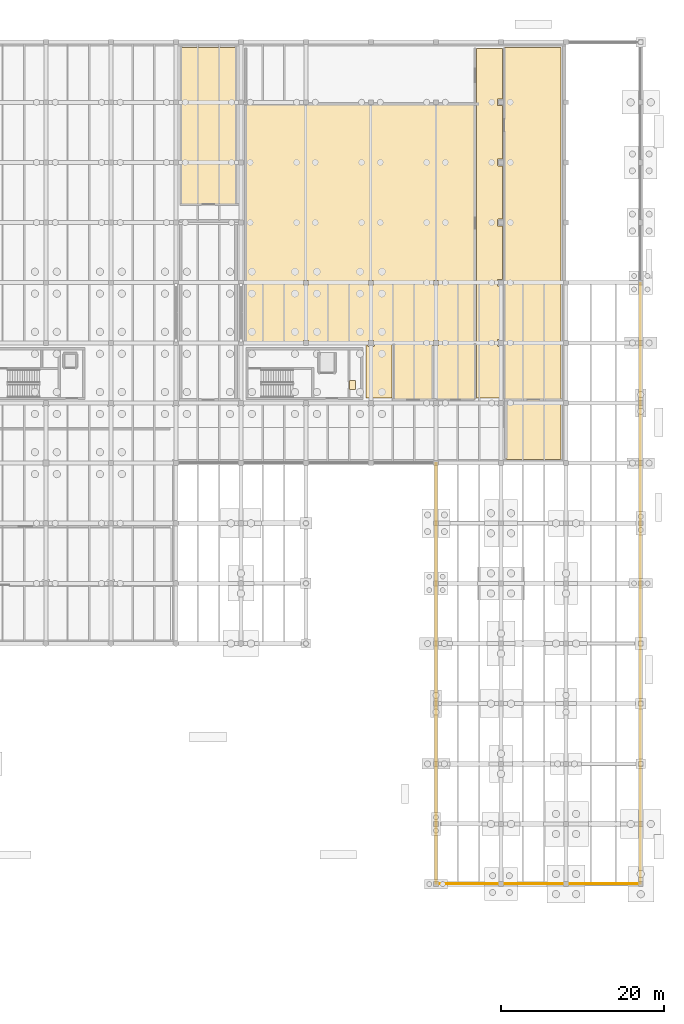
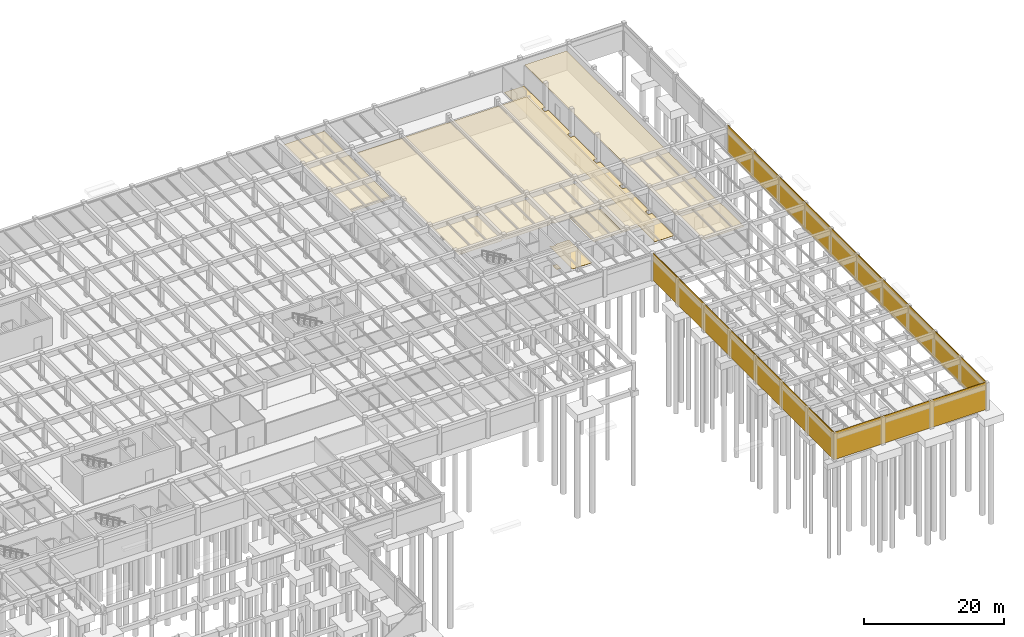
# One storey, part 38 of 40: 12 coverings.
"""IFC4 building model written with IfcOpenShell, lengths in metres."""

import ifcopenshell
import ifcopenshell.guid

model = None  # the IFC model being written
_history = None  # IfcOwnerHistory: only IFC2X3 demands one
_inside = {}  # id of a spatial element -> (the spatial element, [elements in it])
_under = {}  # id of a project, library or spatial element -> (it, [spatial elements below it])
_declared = {}  # id of a project -> (the project, [libraries it declares])
_typed = {}  # id of a type object -> (the type object, [elements of that type])
_made_of = {}  # id of a material, layer set ... -> (it, [elements and type objects made of it])


def new_model(schema):
    """Start an empty IFC model of exactly this schema.

    Asked for "IFC4X3", IfcOpenShell would pick the latest addendum, in which some entities
    have other attributes; the version numbers below select the first issue.
    IFC2X3 requires an IfcOwnerHistory on every rooted entity: one is made here for all.
    """
    global model, _history
    if schema == "IFC4X3":
        model = ifcopenshell.file(schema_version=(4, 3, 0, 0))
    else:
        model = ifcopenshell.file(schema=schema)
    _inside.clear()
    _under.clear()
    _declared.clear()
    _typed.clear()
    _made_of.clear()
    _history = None
    if model.schema == "IFC2X3":
        org = make("IfcOrganization", Name="unknown")
        user = make(
            "IfcPersonAndOrganization",
            ThePerson=make("IfcPerson", FamilyName="unknown"),
            TheOrganization=org,
        )
        app = make(
            "IfcApplication",
            ApplicationDeveloper=org,
            Version="unknown",
            ApplicationFullName="unknown",
            ApplicationIdentifier="unknown",
        )
        _history = make(
            "IfcOwnerHistory",
            OwningUser=user,
            OwningApplication=app,
            ChangeAction="ADDED",
            CreationDate=0,
        )
    return model


def make(cls, **values):
    """One entity of the class cls with the attributes given. An attribute that is None is left unset."""
    return model.create_entity(
        cls, **{name: value for name, value in values.items() if value is not None}
    )


def rooted(cls, **values):
    """An entity with a GlobalId (a new one), such as an element, a storey or a relation."""
    return make(cls, GlobalId=ifcopenshell.guid.new(), OwnerHistory=_history, **values)


def si_unit(unit_type, name, prefix=None):
    """IfcSIUnit, for example si_unit("LENGTHUNIT", "METRE", prefix="MILLI")."""
    return make("IfcSIUnit", UnitType=unit_type, Prefix=prefix, Name=name)


def assignment(units):
    """IfcUnitAssignment: the units of a project."""
    return None if units is None else make("IfcUnitAssignment", Units=units)


def point(xyz):
    """IfcCartesianPoint."""
    return None if xyz is None else make("IfcCartesianPoint", Coordinates=xyz)


def direction(xyz):
    """IfcDirection."""
    return None if xyz is None else make("IfcDirection", DirectionRatios=xyz)


def frame(location, z_axis=None, x_axis=None):
    """IfcAxis2Placement3D, a coordinate frame: its origin and axes. An axis left out is left unset."""
    return make(
        "IfcAxis2Placement3D",
        Location=point(location),
        Axis=direction(z_axis),
        RefDirection=direction(x_axis),
    )


def frame_2d(location, x_axis=None):
    """IfcAxis2Placement2D, a coordinate frame in the plane: its origin and x axis."""
    return make(
        "IfcAxis2Placement2D", Location=point(location), RefDirection=direction(x_axis)
    )


def origin():
    """The frame at (0, 0, 0) with its axes left unset."""
    return frame((0.0, 0.0, 0.0))


def place(relative_to, where):
    """IfcLocalPlacement: puts the frame where relative to a parent placement (None: the world)."""
    return make(
        "IfcLocalPlacement", PlacementRelTo=relative_to, RelativePlacement=where
    )


def context(
    kind, dimensions, precision=None, world=None, true_north=None, identifier=None
):
    """IfcGeometricRepresentationContext, for example the 3D "Model" context."""
    return make(
        "IfcGeometricRepresentationContext",
        ContextIdentifier=identifier,
        ContextType=kind,
        CoordinateSpaceDimension=dimensions,
        Precision=precision,
        WorldCoordinateSystem=world,
        TrueNorth=true_north,
    )


def subcontext(parent, identifier, kind, view, scale=None):
    """IfcGeometricRepresentationSubContext, for example "Body" below "Model"."""
    return make(
        "IfcGeometricRepresentationSubContext",
        ContextIdentifier=identifier,
        ContextType=kind,
        ParentContext=parent,
        TargetScale=scale,
        TargetView=view,
    )


def project(units=None, contexts=None):
    """IfcProject with its units and contexts."""
    return rooted(
        "IfcProject",
        Name="project",
        RepresentationContexts=contexts,
        UnitsInContext=assignment(units),
    )


def spatial(cls, under=None, at=None, **own):
    """A site, building, storey or space (cls), placed at a placement, below another one or the project."""
    s = rooted(cls, ObjectPlacement=at, **own)
    if under is not None:
        _under.setdefault(under.id(), (under, []))[1].append(s)
    return s


def polyline(points):
    """IfcPolyline through the points."""
    return make("IfcPolyline", Points=[point(p) for p in points])


def profile(cls, at=None, kind="AREA", **sizes):
    """A parametric profile (cls). Its sizes go by their IFC names, for example OverallWidth=200.0."""
    return make(cls, ProfileType=kind, Position=at, **sizes)


def rectangle(**sizes):
    """IfcRectangleProfileDef."""
    return profile("IfcRectangleProfileDef", **sizes)


def outline(outer, holes=None, kind="AREA"):
    """IfcArbitraryClosedProfileDef: a profile drawn as a closed curve; with holes, ...WithVoids."""
    if holes is None:
        return make("IfcArbitraryClosedProfileDef", ProfileType=kind, OuterCurve=outer)
    return make(
        "IfcArbitraryProfileDefWithVoids",
        ProfileType=kind,
        OuterCurve=outer,
        InnerCurves=holes,
    )


def extrude(swept, where, along, depth):
    """IfcExtrudedAreaSolid: the profile swept, set in the frame where, extruded along a direction by depth."""
    return make(
        "IfcExtrudedAreaSolid",
        SweptArea=swept,
        Position=where,
        ExtrudedDirection=direction(along),
        Depth=depth,
    )


def shape(context_of_items, identifier, shape_type, items):
    """IfcShapeRepresentation: the items that make up one representation, for example the "Body"."""
    return make(
        "IfcShapeRepresentation",
        ContextOfItems=context_of_items,
        RepresentationIdentifier=identifier,
        RepresentationType=shape_type,
        Items=items,
    )


def material(Name=None, Category=None):
    """IfcMaterial."""
    return make("IfcMaterial", Name=Name, Category=Category)


def layer(
    of_material, thickness, ventilated=None, Name=None, Category=None, Priority=None
):
    """IfcMaterialLayer: one layer of a wall or slab, of a material (None: an air gap)."""
    return make(
        "IfcMaterialLayer",
        Material=of_material,
        LayerThickness=thickness,
        IsVentilated=ventilated,
        Name=Name,
        Category=Category,
        Priority=Priority,
    )


def layer_set(layers, Name=None):
    """IfcMaterialLayerSet."""
    return make("IfcMaterialLayerSet", MaterialLayers=layers, LayerSetName=Name)


def made_of(thing, what):
    """Note that an element or type object is made of a material, layer set ...; save() writes the relation."""
    if what is not None:
        _made_of.setdefault(what.id(), (what, []))[1].append(thing)
    return thing


def type_object(cls, material=None, **own):
    """A type object (cls), such as IfcWallType, which elements share."""
    return made_of(rooted(cls, **own), material)


def element(
    cls,
    number,
    at=None,
    inside=None,
    cuts=None,
    type_object=None,
    material=None,
    context=None,
    identifier="Body",
    shape_type=None,
    held_by="IfcProductDefinitionShape",
    body=None,
    shapes=None,
    **own,
):
    """One element of the class cls, such as IfcWall. Its Tag is "e" and its number.

    at: its placement. inside: the storey or other place that contains it. cuts: it is an
    opening in that element (IfcRelVoidsElement). A single representation is given by context,
    identifier, shape_type and body (its items); several are given by shapes. held_by: the class
    of the entity that holds the representations. save() writes the other relations.
    """
    e = rooted(cls, Tag="e%d" % number, ObjectPlacement=at, **own)
    if body is not None:
        shapes = [shape(context, identifier, shape_type, body)]
    if shapes is not None:
        e.Representation = make(held_by, Representations=shapes)
    if inside is not None:
        _inside.setdefault(inside.id(), (inside, []))[1].append(e)
    if cuts is not None:
        rooted(
            "IfcRelVoidsElement", RelatingBuildingElement=cuts, RelatedOpeningElement=e
        )
    if type_object is not None:
        _typed.setdefault(type_object.id(), (type_object, []))[1].append(e)
    return made_of(e, material)


def aggregate(whole, parts):
    """IfcRelAggregates: a whole, such as a stair, and the parts it consists of."""
    return rooted("IfcRelAggregates", RelatingObject=whole, RelatedObjects=parts)


def save(model, path):
    """Write the relations noted so far, then the file.

    IfcRelAggregates (storeys below a building ...), IfcRelContainedInSpatialStructure (elements
    in a storey), IfcRelDefinesByType, IfcRelAssociatesMaterial and IfcRelDeclares: one each for
    every whole, place, type object, material and project.
    """
    for whole, parts in _under.values():
        aggregate(whole, parts)
    for where, things in _inside.values():
        rooted(
            "IfcRelContainedInSpatialStructure",
            RelatedElements=things,
            RelatingStructure=where,
        )
    for kind, things in _typed.values():
        rooted("IfcRelDefinesByType", RelatedObjects=things, RelatingType=kind)
    for what, things in _made_of.values():
        rooted("IfcRelAssociatesMaterial", RelatedObjects=things, RelatingMaterial=what)
    for by, libraries in _declared.values():
        rooted("IfcRelDeclares", RelatingContext=by, RelatedDefinitions=libraries)
    model.write(path)


model = new_model("IFC4")

# Units and contexts
model_context = context("Model", 3, precision=1e-05, world=origin(), true_north=direction((0.0, 1.0)))
body_context = subcontext(model_context, "Body", "Model", "MODEL_VIEW")
ifc_project = project(units=[si_unit("LENGTHUNIT", "METRE"), si_unit("AREAUNIT", "SQUARE_METRE"), si_unit("VOLUMEUNIT", "CUBIC_METRE"), si_unit("PLANEANGLEUNIT", "RADIAN"), si_unit("MASSUNIT", "GRAM", prefix="KILO")], contexts=[model_context])

# Site, building, storey
site_placement = place(None, origin())
site = spatial("IfcSite", under=ifc_project, at=site_placement, CompositionType="ELEMENT")
building_placement = place(site_placement, origin())
building = spatial("IfcBuilding", under=site, at=building_placement, Name="Valkorina Park Police Headquarters", CompositionType="ELEMENT")
storey_placement = place(building_placement, frame((0.0, 0.0, -4.800048828125)))
storey = spatial("IfcBuildingStorey", under=building, at=storey_placement, Name="B01", CompositionType="ELEMENT", Elevation=-4.800048828125)

# Coverings
ifc_material_1 = material(Name="Acoustic mineral board")
ifc_layer_1 = layer(ifc_material_1, 0.02490234375)
ifc_layer_set_1 = layer_set([ifc_layer_1], Name="Acoustic mineral board")
covering_type_1 = type_object("IfcCoveringType", Name="COV-CEILING-ACOUST", PredefinedType="CEILING", material=ifc_layer_set_1)
covering_1_placement = place(storey_placement, frame((0.0, 0.0, 3.505126953125)))
element("IfcCovering", 1, at=covering_1_placement, inside=storey, type_object=covering_type_1, Name="Indoor 25 m Firing Range Acoustic Suspended Ceiling", PredefinedType="CEILING", context=body_context, shape_type="SweptSolid", body=[
    extrude(outline(polyline([(121.10009765625, 103.34912109375), (121.10009765625, 103.300048828125), (120.5, 103.300048828125), (120.5, 103.34912109375), (120.497802734375, 103.3505859375), (120.490478515625, 103.35400390625), (120.483154296875, 103.356689453125), (120.4755859375, 103.3583984375), (120.4677734375, 103.359619140625), (120.4599609375, 103.360107421875), (113.52001953125, 103.360107421875), (113.51220703125, 103.359619140625), (113.50439453125, 103.3583984375), (113.496826171875, 103.356689453125), (113.489501953125, 103.35400390625), (113.482421875, 103.3505859375), (113.4755859375, 103.346435546875), (113.46923828125, 103.341796875), (113.46337890625, 103.336669921875), (113.458251953125, 103.330810546875), (113.45361328125, 103.324462890625), (113.449462890625, 103.317626953125), (113.446044921875, 103.310546875), (113.443359375, 103.30322265625), (113.44140625, 103.295654296875), (113.4404296875, 103.287841796875), (113.43994140625, 103.280029296875), (113.43994140625, 74.1201171875), (113.4404296875, 74.1123046875), (113.44140625, 74.1044921875), (113.443359375, 74.0966796875), (113.446044921875, 74.08935546875), (113.449462890625, 74.082275390625), (113.45361328125, 74.07568359375), (113.458251953125, 74.069091796875), (113.46337890625, 74.0634765625), (113.46923828125, 74.05810546875), (113.4755859375, 74.053466796875), (113.482421875, 74.04931640625), (113.489501953125, 74.046142578125), (113.496826171875, 74.04345703125), (113.50439453125, 74.04150390625), (113.51220703125, 74.040283203125), (113.52001953125, 74.0400390625), (120.4599609375, 74.0400390625), (120.4677734375, 74.040283203125), (120.4755859375, 74.04150390625), (120.483154296875, 74.04345703125), (120.490478515625, 74.046142578125), (120.497802734375, 74.04931640625), (120.5, 74.05078125), (120.5, 74.300048828125), (121.10009765625, 74.300048828125), (121.10009765625, 74.05078125), (121.102294921875, 74.04931640625), (121.109375, 74.046142578125), (121.11669921875, 74.04345703125), (121.12451171875, 74.04150390625), (121.132080078125, 74.040283203125), (121.139892578125, 74.0400390625), (128.4599609375, 74.0400390625), (128.4677734375, 74.040283203125), (128.4755859375, 74.04150390625), (128.483154296875, 74.04345703125), (128.490478515625, 74.046142578125), (128.497802734375, 74.04931640625), (128.5, 74.05078125), (128.5, 74.300048828125), (129.10009765625, 74.300048828125), (129.10009765625, 74.05078125), (129.102294921875, 74.04931640625), (129.109375, 74.046142578125), (129.11669921875, 74.04345703125), (129.12451171875, 74.04150390625), (129.132080078125, 74.040283203125), (129.139892578125, 74.0400390625), (136.4599609375, 74.0400390625), (136.4677734375, 74.040283203125), (136.4755859375, 74.04150390625), (136.483154296875, 74.04345703125), (136.490478515625, 74.046142578125), (136.497802734375, 74.04931640625), (136.5, 74.05078125), (136.5, 74.300048828125), (137.10009765625, 74.300048828125), (137.10009765625, 74.05078125), (137.102294921875, 74.04931640625), (137.109375, 74.046142578125), (137.11669921875, 74.04345703125), (137.12451171875, 74.04150390625), (137.132080078125, 74.040283203125), (137.139892578125, 74.0400390625), (141.47998046875, 74.0400390625), (141.48779296875, 74.040283203125), (141.49560546875, 74.04150390625), (141.503173828125, 74.04345703125), (141.510498046875, 74.046142578125), (141.517578125, 74.04931640625), (141.5244140625, 74.053466796875), (141.53076171875, 74.05810546875), (141.53662109375, 74.0634765625), (141.541748046875, 74.069091796875), (141.54638671875, 74.07568359375), (141.550537109375, 74.082275390625), (141.553955078125, 74.08935546875), (141.556640625, 74.0966796875), (141.55859375, 74.1044921875), (141.5595703125, 74.1123046875), (141.56005859375, 74.1201171875), (141.56005859375, 103.280029296875), (141.5595703125, 103.287841796875), (141.55859375, 103.295654296875), (141.556640625, 103.30322265625), (141.553955078125, 103.310546875), (141.550537109375, 103.317626953125), (141.54638671875, 103.324462890625), (141.541748046875, 103.330810546875), (141.53662109375, 103.336669921875), (141.53076171875, 103.341796875), (141.5244140625, 103.346435546875), (141.517578125, 103.3505859375), (141.510498046875, 103.35400390625), (141.503173828125, 103.356689453125), (141.49560546875, 103.3583984375), (141.48779296875, 103.359619140625), (141.47998046875, 103.360107421875), (137.139892578125, 103.360107421875), (137.132080078125, 103.359619140625), (137.12451171875, 103.3583984375), (137.11669921875, 103.356689453125), (137.109375, 103.35400390625), (137.102294921875, 103.3505859375), (137.10009765625, 103.34912109375), (137.10009765625, 103.300048828125), (136.5, 103.300048828125), (136.5, 103.34912109375), (136.497802734375, 103.3505859375), (136.490478515625, 103.35400390625), (136.483154296875, 103.356689453125), (136.4755859375, 103.3583984375), (136.4677734375, 103.359619140625), (136.4599609375, 103.360107421875), (129.139892578125, 103.360107421875), (129.132080078125, 103.359619140625), (129.12451171875, 103.3583984375), (129.11669921875, 103.356689453125), (129.109375, 103.35400390625), (129.102294921875, 103.3505859375), (129.10009765625, 103.34912109375), (129.10009765625, 103.300048828125), (128.5, 103.300048828125), (128.5, 103.34912109375), (128.497802734375, 103.3505859375), (128.490478515625, 103.35400390625), (128.483154296875, 103.356689453125), (128.4755859375, 103.3583984375), (128.4677734375, 103.359619140625), (128.4599609375, 103.360107421875), (121.139892578125, 103.360107421875), (121.132080078125, 103.359619140625), (121.12451171875, 103.3583984375), (121.11669921875, 103.356689453125), (121.109375, 103.35400390625), (121.102294921875, 103.3505859375), (121.10009765625, 103.34912109375)]), holes=[polyline([(137.10009765625, 81.10009765625), (136.5, 81.10009765625), (136.5, 81.699951171875), (137.10009765625, 81.699951171875), (137.10009765625, 81.10009765625)]), polyline([(129.10009765625, 81.10009765625), (128.5, 81.10009765625), (128.5, 81.699951171875), (129.10009765625, 81.699951171875), (129.10009765625, 81.10009765625)]), polyline([(121.10009765625, 81.10009765625), (120.5, 81.10009765625), (120.5, 81.699951171875), (121.10009765625, 81.699951171875), (121.10009765625, 81.10009765625)])]), origin(), (0.0, 0.0, 1.0), 0.02490234375),
])
covering_2_placement = place(storey_placement, frame((0.0, 0.0, 3.505126953125)))
element("IfcCovering", 2, at=covering_2_placement, inside=storey, type_object=covering_type_1, Name="Weapons Cleaning and Maintenance Room Acoustic Suspended Ceiling", PredefinedType="CEILING", context=body_context, shape_type="SweptSolid", body=[
    extrude(outline(polyline([(112.158447265625, 91.1044921875), (112.15966796875, 91.1123046875), (112.159912109375, 91.1201171875), (112.159912109375, 110.280029296875), (112.15966796875, 110.287841796875), (112.158447265625, 110.295654296875), (112.156494140625, 110.30322265625), (112.15380859375, 110.310546875), (112.150634765625, 110.317626953125), (112.146484375, 110.324462890625), (112.141845703125, 110.330810546875), (112.13671875, 110.336669921875), (112.130859375, 110.341796875), (112.12451171875, 110.346435546875), (112.11767578125, 110.3505859375), (112.110595703125, 110.35400390625), (112.103271484375, 110.356689453125), (112.095703125, 110.3583984375), (112.087890625, 110.359619140625), (112.080078125, 110.360107421875), (105.52001953125, 110.360107421875), (105.51220703125, 110.359619140625), (105.50439453125, 110.3583984375), (105.496826171875, 110.356689453125), (105.489501953125, 110.35400390625), (105.482421875, 110.3505859375), (105.4755859375, 110.346435546875), (105.46923828125, 110.341796875), (105.46337890625, 110.336669921875), (105.458251953125, 110.330810546875), (105.45361328125, 110.324462890625), (105.449462890625, 110.317626953125), (105.446044921875, 110.310546875), (105.443359375, 110.30322265625), (105.44140625, 110.295654296875), (105.4404296875, 110.287841796875), (105.43994140625, 110.280029296875), (105.43994140625, 91.1201171875), (105.4404296875, 91.1123046875), (105.44140625, 91.1044921875), (105.443359375, 91.0966796875), (105.446044921875, 91.08935546875), (105.449462890625, 91.082275390625), (105.45361328125, 91.07568359375), (105.458251953125, 91.069091796875), (105.46337890625, 91.0634765625), (105.46923828125, 91.05810546875), (105.4755859375, 91.053466796875), (105.482421875, 91.04931640625), (105.489501953125, 91.046142578125), (105.496826171875, 91.04345703125), (105.50439453125, 91.04150390625), (105.51220703125, 91.040283203125), (105.52001953125, 91.0400390625), (112.080078125, 91.0400390625), (112.087890625, 91.040283203125), (112.095703125, 91.04150390625), (112.103271484375, 91.04345703125), (112.110595703125, 91.046142578125), (112.11767578125, 91.04931640625), (112.12451171875, 91.053466796875), (112.130859375, 91.05810546875), (112.13671875, 91.0634765625), (112.141845703125, 91.069091796875), (112.146484375, 91.07568359375), (112.150634765625, 91.082275390625), (112.15380859375, 91.08935546875), (112.156494140625, 91.0966796875), (112.158447265625, 91.1044921875)])), origin(), (0.0, 0.0, 1.0), 0.02490234375),
])
covering_3_placement = place(storey_placement, frame((0.0, 0.0, 3.625)))
element("IfcCovering", 3, at=covering_3_placement, inside=storey, type_object=covering_type_1, Name="Central Police Armoury Vault Acoustic Suspended Ceiling", PredefinedType="CEILING", context=body_context, shape_type="SweptSolid", body=[
    extrude(outline(polyline([(136.3583984375, 67.1044921875), (136.359619140625, 67.1123046875), (136.360107421875, 67.1201171875), (136.360107421875, 73.8798828125), (136.359619140625, 73.8876953125), (136.3583984375, 73.8955078125), (136.356689453125, 73.9033203125), (136.35400390625, 73.91064453125), (136.3505859375, 73.917724609375), (136.346435546875, 73.92431640625), (136.341796875, 73.930908203125), (136.336669921875, 73.9365234375), (136.330810546875, 73.94189453125), (136.324462890625, 73.946533203125), (136.317626953125, 73.95068359375), (136.310546875, 73.953857421875), (136.30322265625, 73.95654296875), (136.295654296875, 73.95849609375), (136.287841796875, 73.959716796875), (136.280029296875, 73.9599609375), (131.719970703125, 73.9599609375), (131.712158203125, 73.959716796875), (131.704345703125, 73.95849609375), (131.69677734375, 73.95654296875), (131.689453125, 73.953857421875), (131.682373046875, 73.95068359375), (131.675537109375, 73.946533203125), (131.669189453125, 73.94189453125), (131.663330078125, 73.9365234375), (131.658203125, 73.930908203125), (131.653564453125, 73.92431640625), (131.6494140625, 73.917724609375), (131.64599609375, 73.91064453125), (131.643310546875, 73.9033203125), (131.6416015625, 73.8955078125), (131.640380859375, 73.8876953125), (131.639892578125, 73.8798828125), (131.639892578125, 67.1201171875), (131.640380859375, 67.1123046875), (131.6416015625, 67.1044921875), (131.643310546875, 67.0966796875), (131.64599609375, 67.08935546875), (131.6494140625, 67.082275390625), (131.653564453125, 67.07568359375), (131.658203125, 67.069091796875), (131.663330078125, 67.0634765625), (131.669189453125, 67.05810546875), (131.675537109375, 67.053466796875), (131.682373046875, 67.04931640625), (131.689453125, 67.046142578125), (131.69677734375, 67.04345703125), (131.704345703125, 67.04150390625), (131.712158203125, 67.040283203125), (131.719970703125, 67.0400390625), (136.280029296875, 67.0400390625), (136.287841796875, 67.040283203125), (136.295654296875, 67.04150390625), (136.30322265625, 67.04345703125), (136.310546875, 67.046142578125), (136.317626953125, 67.04931640625), (136.324462890625, 67.053466796875), (136.330810546875, 67.05810546875), (136.336669921875, 67.0634765625), (136.341796875, 67.069091796875), (136.346435546875, 67.07568359375), (136.3505859375, 67.082275390625), (136.35400390625, 67.08935546875), (136.356689453125, 67.0966796875), (136.3583984375, 67.1044921875)])), origin(), (0.0, 0.0, 1.0), 0.025146484375),
])
covering_4_placement = place(storey_placement, frame((0.0, 0.0, 3.625)))
element("IfcCovering", 4, at=covering_4_placement, inside=storey, type_object=covering_type_1, Name="Ammunition Magazine Vault Acoustic Suspended Ceiling", PredefinedType="CEILING", context=body_context, shape_type="SweptSolid", body=[
    extrude(outline(polyline([(152.158447265625, 59.704345703125), (152.15966796875, 59.712158203125), (152.159912109375, 59.719970703125), (152.159912109375, 66.8798828125), (152.15966796875, 66.8876953125), (152.158447265625, 66.8955078125), (152.156494140625, 66.9033203125), (152.15380859375, 66.91064453125), (152.150634765625, 66.917724609375), (152.146484375, 66.92431640625), (152.141845703125, 66.930908203125), (152.13671875, 66.9365234375), (152.130859375, 66.94189453125), (152.12451171875, 66.946533203125), (152.11767578125, 66.95068359375), (152.110595703125, 66.953857421875), (152.103271484375, 66.95654296875), (152.095703125, 66.95849609375), (152.087890625, 66.959716796875), (152.080078125, 66.9599609375), (145.52001953125, 66.9599609375), (145.51220703125, 66.959716796875), (145.50439453125, 66.95849609375), (145.496826171875, 66.95654296875), (145.489501953125, 66.953857421875), (145.482421875, 66.95068359375), (145.4755859375, 66.946533203125), (145.46923828125, 66.94189453125), (145.46337890625, 66.9365234375), (145.458251953125, 66.930908203125), (145.45361328125, 66.92431640625), (145.449462890625, 66.917724609375), (145.446044921875, 66.91064453125), (145.443359375, 66.9033203125), (145.44140625, 66.8955078125), (145.4404296875, 66.8876953125), (145.43994140625, 66.8798828125), (145.43994140625, 59.719970703125), (145.4404296875, 59.712158203125), (145.44140625, 59.704345703125), (145.443359375, 59.69677734375), (145.446044921875, 59.689453125), (145.449462890625, 59.682373046875), (145.45361328125, 59.675537109375), (145.458251953125, 59.669189453125), (145.46337890625, 59.663330078125), (145.46923828125, 59.658203125), (145.4755859375, 59.653564453125), (145.482421875, 59.6494140625), (145.489501953125, 59.64599609375), (145.496826171875, 59.643310546875), (145.50439453125, 59.6416015625), (145.51220703125, 59.640380859375), (145.52001953125, 59.639892578125), (152.080078125, 59.639892578125), (152.087890625, 59.640380859375), (152.095703125, 59.6416015625), (152.103271484375, 59.643310546875), (152.110595703125, 59.64599609375), (152.11767578125, 59.6494140625), (152.12451171875, 59.653564453125), (152.130859375, 59.658203125), (152.13671875, 59.663330078125), (152.141845703125, 59.669189453125), (152.146484375, 59.675537109375), (152.150634765625, 59.682373046875), (152.15380859375, 59.689453125), (152.156494140625, 59.69677734375), (152.158447265625, 59.704345703125)])), origin(), (0.0, 0.0, 1.0), 0.025146484375),
])
covering_5_placement = place(storey_placement, frame((0.0, 0.0, 3.625)))
element("IfcCovering", 5, at=covering_5_placement, inside=storey, type_object=covering_type_1, Name="Tactical Response Gear Locker Room Acoustic Suspended Ceiling", PredefinedType="CEILING", context=body_context, shape_type="SweptSolid", body=[
    extrude(outline(polyline([(141.55859375, 67.1044921875), (141.5595703125, 67.1123046875), (141.56005859375, 67.1201171875), (141.56005859375, 73.8798828125), (141.5595703125, 73.8876953125), (141.55859375, 73.8955078125), (141.556640625, 73.9033203125), (141.553955078125, 73.91064453125), (141.550537109375, 73.917724609375), (141.54638671875, 73.92431640625), (141.541748046875, 73.930908203125), (141.53662109375, 73.9365234375), (141.53076171875, 73.94189453125), (141.5244140625, 73.946533203125), (141.517578125, 73.95068359375), (141.510498046875, 73.953857421875), (141.503173828125, 73.95654296875), (141.49560546875, 73.95849609375), (141.48779296875, 73.959716796875), (141.47998046875, 73.9599609375), (137.139892578125, 73.9599609375), (137.132080078125, 73.959716796875), (137.12451171875, 73.95849609375), (137.11669921875, 73.95654296875), (137.109375, 73.953857421875), (137.102294921875, 73.95068359375), (137.10009765625, 73.94921875), (137.10009765625, 73.699951171875), (136.5, 73.699951171875), (136.5, 73.7373046875), (136.496826171875, 73.736572265625), (136.489501953125, 73.73388671875), (136.482421875, 73.730712890625), (136.4755859375, 73.7265625), (136.46923828125, 73.7216796875), (136.46337890625, 73.716552734375), (136.458251953125, 73.710693359375), (136.45361328125, 73.704345703125), (136.449462890625, 73.69775390625), (136.446044921875, 73.690673828125), (136.443359375, 73.68310546875), (136.44140625, 73.675537109375), (136.4404296875, 73.667724609375), (136.43994140625, 73.659912109375), (136.43994140625, 67.1201171875), (136.4404296875, 67.1123046875), (136.44140625, 67.1044921875), (136.443359375, 67.0966796875), (136.446044921875, 67.08935546875), (136.449462890625, 67.082275390625), (136.45361328125, 67.07568359375), (136.458251953125, 67.069091796875), (136.46337890625, 67.0634765625), (136.46923828125, 67.05810546875), (136.4755859375, 67.053466796875), (136.482421875, 67.04931640625), (136.489501953125, 67.046142578125), (136.496826171875, 67.04345703125), (136.50439453125, 67.04150390625), (136.51220703125, 67.040283203125), (136.52001953125, 67.0400390625), (141.47998046875, 67.0400390625), (141.48779296875, 67.040283203125), (141.49560546875, 67.04150390625), (141.503173828125, 67.04345703125), (141.510498046875, 67.046142578125), (141.517578125, 67.04931640625), (141.5244140625, 67.053466796875), (141.53076171875, 67.05810546875), (141.53662109375, 67.0634765625), (141.541748046875, 67.069091796875), (141.54638671875, 67.07568359375), (141.550537109375, 67.082275390625), (141.553955078125, 67.08935546875), (141.556640625, 67.0966796875), (141.55859375, 67.1044921875)])), origin(), (0.0, 0.0, 1.0), 0.025146484375),
])
covering_6_placement = place(storey_placement, frame((0.0, 0.0, 3.505126953125)))
element("IfcCovering", 6, at=covering_6_placement, inside=storey, type_object=covering_type_1, Name="Fleet Wash and Vehicle Inspection Bay Acoustic Suspended Ceiling", PredefinedType="CEILING", context=body_context, shape_type="SweptSolid", body=[
    extrude(outline(polyline([(152.158447265625, 67.1044921875), (152.15966796875, 67.1123046875), (152.159912109375, 67.1201171875), (152.159912109375, 110.280029296875), (152.15966796875, 110.287841796875), (152.158447265625, 110.295654296875), (152.156494140625, 110.30322265625), (152.15380859375, 110.310546875), (152.150634765625, 110.317626953125), (152.146484375, 110.324462890625), (152.141845703125, 110.330810546875), (152.13671875, 110.336669921875), (152.130859375, 110.341796875), (152.12451171875, 110.346435546875), (152.11767578125, 110.3505859375), (152.110595703125, 110.35400390625), (152.103271484375, 110.356689453125), (152.095703125, 110.3583984375), (152.087890625, 110.359619140625), (152.080078125, 110.360107421875), (145.320068359375, 110.360107421875), (145.312255859375, 110.359619140625), (145.304443359375, 110.3583984375), (145.296875, 110.356689453125), (145.289306640625, 110.35400390625), (145.2822265625, 110.3505859375), (145.275634765625, 110.346435546875), (145.269287109375, 110.341796875), (145.263427734375, 110.336669921875), (145.25830078125, 110.330810546875), (145.25341796875, 110.324462890625), (145.24951171875, 110.317626953125), (145.24609375, 110.310546875), (145.243408203125, 110.30322265625), (145.241455078125, 110.295654296875), (145.240478515625, 110.287841796875), (145.239990234375, 110.280029296875), (145.239990234375, 67.1201171875), (145.240478515625, 67.1123046875), (145.241455078125, 67.1044921875), (145.243408203125, 67.0966796875), (145.24609375, 67.08935546875), (145.24951171875, 67.082275390625), (145.25341796875, 67.07568359375), (145.25830078125, 67.069091796875), (145.263427734375, 67.0634765625), (145.269287109375, 67.05810546875), (145.275634765625, 67.053466796875), (145.2822265625, 67.04931640625), (145.289306640625, 67.046142578125), (145.296875, 67.04345703125), (145.304443359375, 67.04150390625), (145.312255859375, 67.040283203125), (145.320068359375, 67.0400390625), (152.080078125, 67.0400390625), (152.087890625, 67.040283203125), (152.095703125, 67.04150390625), (152.103271484375, 67.04345703125), (152.110595703125, 67.046142578125), (152.11767578125, 67.04931640625), (152.12451171875, 67.053466796875), (152.130859375, 67.05810546875), (152.13671875, 67.0634765625), (152.141845703125, 67.069091796875), (152.146484375, 67.07568359375), (152.150634765625, 67.082275390625), (152.15380859375, 67.08935546875), (152.156494140625, 67.0966796875), (152.158447265625, 67.1044921875)])), origin(), (0.0, 0.0, 1.0), 0.02490234375),
])
ifc_material_2 = material(Name="Precast concrete C40/50", Category="concrete")
ifc_layer_2 = layer(ifc_material_2, 0.044921875)
ifc_layer_set_2 = layer_set([ifc_layer_2], Name="Precast concrete C40/50")
covering_type_2 = type_object("IfcCoveringType", Name="COV-CLAD-DOLOMITE", PredefinedType="CLADDING", material=ifc_layer_set_2)
covering_7_placement = place(storey_placement, frame((161.9599609375, 81.360107421875, 0.0), z_axis=(0.0, 0.0, 1.0), x_axis=(0.0, -1.0, 0.0)))
element("IfcCovering", 7, at=covering_7_placement, inside=storey, type_object=covering_type_2, Name="Substructure Frost Plinth Cladding 08", PredefinedType="CLADDING", context=body_context, shape_type="SweptSolid", body=[
    extrude(rectangle(XDim=73.920166015625, YDim=0.080078125, at=frame_2d((36.9599609375, 0.0))), origin(), (0.0, 0.0, 1.0), 4.800048828125),
])
covering_8_placement = place(storey_placement, frame((161.9599609375, 7.43994140625, 0.0), z_axis=(0.0, 0.0, 1.0), x_axis=(-1.0, 0.0, 0.0)))
element("IfcCovering", 8, at=covering_8_placement, inside=storey, type_object=covering_type_2, Name="Substructure Frost Plinth Cladding 09", PredefinedType="CLADDING", context=body_context, shape_type="SweptSolid", body=[
    extrude(rectangle(XDim=25.119873046875, YDim=0.080078125, at=frame_2d((12.56005859375, 0.0))), origin(), (0.0, 0.0, 1.0), 4.800048828125),
])
covering_9_placement = place(storey_placement, frame((136.840087890625, 7.43994140625, 0.0), z_axis=(0.0, 0.0, 1.0), x_axis=(0.0, 1.0, 0.0)))
element("IfcCovering", 9, at=covering_9_placement, inside=storey, type_object=covering_type_2, Name="Substructure Frost Plinth Cladding 10", PredefinedType="CLADDING", context=body_context, shape_type="SweptSolid", body=[
    extrude(rectangle(XDim=51.719970703125, YDim=0.080078125, at=frame_2d((25.85986328125, 0.0))), origin(), (0.0, 0.0, 1.0), 4.800048828125),
])
ifc_material_3 = material(Name="Resin terrazzo flooring")
ifc_layer_3 = layer(ifc_material_3, 0.030029296875)
ifc_layer_set_3 = layer_set([ifc_layer_3], Name="Resin terrazzo flooring")
covering_type_3 = type_object("IfcCoveringType", Name="COV-FLOOR-TERRAZZO", PredefinedType="FLOORING", material=ifc_layer_set_3)
covering_10_placement = place(storey_placement, origin())
element("IfcCovering", 10, at=covering_10_placement, inside=storey, type_object=covering_type_3, Name="Core C5 B01 Riser Inspection Threshold Grate", PredefinedType="FLOORING", context=body_context, shape_type="SweptSolid", body=[
    extrude(outline(polyline([(126.8798828125, 68.25), (126.8798828125, 69.35009765625), (126.179931640625, 69.35009765625), (126.179931640625, 68.25), (126.8798828125, 68.25)])), origin(), (0.0, 0.0, 1.0), 0.030029296875),
])
covering_11_placement = place(storey_placement, origin())
element("IfcCovering", 11, at=covering_11_placement, inside=storey, type_object=covering_type_3, Name="Fleet Bay South Access Corridor Terrazzo Flooring", PredefinedType="FLOORING", context=body_context, shape_type="SweptSolid", body=[
    extrude(outline(polyline([(145.0, 110.199951171875), (141.800048828125, 110.199951171875), (141.800048828125, 67.199951171875), (145.0, 67.199951171875), (145.0, 73.580078125), (144.4599609375, 73.580078125), (144.4521484375, 73.580322265625), (144.4443359375, 73.58154296875), (144.436767578125, 73.58349609375), (144.429443359375, 73.586181640625), (144.42236328125, 73.58935546875), (144.41552734375, 73.593505859375), (144.4091796875, 73.59814453125), (144.4033203125, 73.603515625), (144.398193359375, 73.609130859375), (144.3935546875, 73.615478515625), (144.389404296875, 73.622314453125), (144.385986328125, 73.62939453125), (144.38330078125, 73.63671875), (144.381591796875, 73.644287109375), (144.38037109375, 73.652099609375), (144.3798828125, 73.659912109375), (144.3798828125, 74.340087890625), (144.38037109375, 74.347900390625), (144.381591796875, 74.355712890625), (144.38330078125, 74.36328125), (144.385986328125, 74.37060546875), (144.389404296875, 74.377685546875), (144.3935546875, 74.384521484375), (144.398193359375, 74.390869140625), (144.4033203125, 74.396484375), (144.4091796875, 74.40185546875), (144.41552734375, 74.406494140625), (144.42236328125, 74.41064453125), (144.429443359375, 74.413818359375), (144.436767578125, 74.41650390625), (144.4443359375, 74.41845703125), (144.4521484375, 74.419677734375), (144.4599609375, 74.419921875), (145.0, 74.419921875), (145.0, 80.97998046875), (144.4599609375, 80.97998046875), (144.4521484375, 80.98046875), (144.4443359375, 80.9814453125), (144.436767578125, 80.9833984375), (144.429443359375, 80.986083984375), (144.42236328125, 80.989501953125), (144.41552734375, 80.993408203125), (144.4091796875, 80.998291015625), (144.4033203125, 81.00341796875), (144.398193359375, 81.00927734375), (144.3935546875, 81.015625), (144.389404296875, 81.022216796875), (144.385986328125, 81.029296875), (144.38330078125, 81.036865234375), (144.381591796875, 81.04443359375), (144.38037109375, 81.05224609375), (144.3798828125, 81.06005859375), (144.3798828125, 81.739990234375), (144.38037109375, 81.747802734375), (144.381591796875, 81.755615234375), (144.38330078125, 81.76318359375), (144.385986328125, 81.7705078125), (144.389404296875, 81.777587890625), (144.3935546875, 81.784423828125), (144.398193359375, 81.790771484375), (144.4033203125, 81.796630859375), (144.4091796875, 81.8017578125), (144.41552734375, 81.806396484375), (144.42236328125, 81.810546875), (144.429443359375, 81.81396484375), (144.436767578125, 81.816650390625), (144.4443359375, 81.818603515625), (144.4521484375, 81.819580078125), (144.4599609375, 81.820068359375), (145.0, 81.820068359375), (145.0, 88.3798828125), (144.4599609375, 88.3798828125), (144.4521484375, 88.38037109375), (144.4443359375, 88.381591796875), (144.436767578125, 88.38330078125), (144.429443359375, 88.385986328125), (144.42236328125, 88.389404296875), (144.41552734375, 88.3935546875), (144.4091796875, 88.398193359375), (144.4033203125, 88.4033203125), (144.398193359375, 88.4091796875), (144.3935546875, 88.41552734375), (144.389404296875, 88.42236328125), (144.385986328125, 88.429443359375), (144.38330078125, 88.436767578125), (144.381591796875, 88.4443359375), (144.38037109375, 88.4521484375), (144.3798828125, 88.4599609375), (144.3798828125, 89.139892578125), (144.38037109375, 89.147705078125), (144.381591796875, 89.155517578125), (144.38330078125, 89.1630859375), (144.385986328125, 89.170654296875), (144.389404296875, 89.177734375), (144.3935546875, 89.184326171875), (144.398193359375, 89.19091796875), (144.4033203125, 89.196533203125), (144.4091796875, 89.201904296875), (144.41552734375, 89.20654296875), (144.42236328125, 89.210693359375), (144.429443359375, 89.2138671875), (144.436767578125, 89.216552734375), (144.4443359375, 89.218505859375), (144.4521484375, 89.219482421875), (144.4599609375, 89.219970703125), (145.0, 89.219970703125), (145.0, 95.780029296875), (144.4599609375, 95.780029296875), (144.4521484375, 95.780517578125), (144.4443359375, 95.781494140625), (144.436767578125, 95.783447265625), (144.429443359375, 95.7861328125), (144.42236328125, 95.789306640625), (144.41552734375, 95.79345703125), (144.4091796875, 95.798095703125), (144.4033203125, 95.803466796875), (144.398193359375, 95.80908203125), (144.3935546875, 95.815673828125), (144.389404296875, 95.822265625), (144.385986328125, 95.829345703125), (144.38330078125, 95.8369140625), (144.381591796875, 95.844482421875), (144.38037109375, 95.852294921875), (144.3798828125, 95.860107421875), (144.3798828125, 96.5400390625), (144.38037109375, 96.5478515625), (144.381591796875, 96.5556640625), (144.38330078125, 96.563232421875), (144.385986328125, 96.570556640625), (144.389404296875, 96.57763671875), (144.3935546875, 96.58447265625), (144.398193359375, 96.5908203125), (144.4033203125, 96.5966796875), (144.4091796875, 96.601806640625), (144.41552734375, 96.6064453125), (144.42236328125, 96.610595703125), (144.429443359375, 96.614013671875), (144.436767578125, 96.61669921875), (144.4443359375, 96.618408203125), (144.4521484375, 96.61962890625), (144.4599609375, 96.6201171875), (145.0, 96.6201171875), (145.0, 103.179931640625), (144.4599609375, 103.179931640625), (144.4521484375, 103.180419921875), (144.4443359375, 103.181396484375), (144.436767578125, 103.183349609375), (144.429443359375, 103.18603515625), (144.42236328125, 103.189453125), (144.41552734375, 103.193603515625), (144.4091796875, 103.1982421875), (144.4033203125, 103.203369140625), (144.398193359375, 103.209228515625), (144.3935546875, 103.215576171875), (144.389404296875, 103.222412109375), (144.385986328125, 103.2294921875), (144.38330078125, 103.23681640625), (144.381591796875, 103.244384765625), (144.38037109375, 103.252197265625), (144.3798828125, 103.260009765625), (144.3798828125, 103.93994140625), (144.38037109375, 103.94775390625), (144.381591796875, 103.95556640625), (144.38330078125, 103.963134765625), (144.385986328125, 103.970703125), (144.389404296875, 103.977783203125), (144.3935546875, 103.984375), (144.398193359375, 103.99072265625), (144.4033203125, 103.99658203125), (144.4091796875, 104.001708984375), (144.41552734375, 104.006591796875), (144.42236328125, 104.010498046875), (144.429443359375, 104.013916015625), (144.436767578125, 104.0166015625), (144.4443359375, 104.0185546875), (144.4521484375, 104.01953125), (144.4599609375, 104.02001953125), (145.0, 104.02001953125), (145.0, 110.199951171875)])), origin(), (0.0, 0.0, 1.0), 0.030029296875),
])
covering_12_placement = place(storey_placement, origin())
element("IfcCovering", 12, at=covering_12_placement, inside=storey, type_object=covering_type_3, Name="Firing Range Acoustic Vestibule Corridor Terrazzo Flooring", PredefinedType="FLOORING", context=body_context, shape_type="SweptSolid", body=[
    extrude(outline(polyline([(131.39990234375, 73.800048828125), (129.219970703125, 73.800048828125), (129.219970703125, 73.659912109375), (129.219482421875, 73.652099609375), (129.218505859375, 73.644287109375), (129.216552734375, 73.63671875), (129.2138671875, 73.62939453125), (129.210693359375, 73.622314453125), (129.20654296875, 73.615478515625), (129.201904296875, 73.609130859375), (129.196533203125, 73.603515625), (129.19091796875, 73.59814453125), (129.184326171875, 73.593505859375), (129.177734375, 73.58935546875), (129.170654296875, 73.586181640625), (129.1630859375, 73.58349609375), (129.155517578125, 73.58154296875), (129.147705078125, 73.580322265625), (129.139892578125, 73.580078125), (128.4599609375, 73.580078125), (128.4521484375, 73.580322265625), (128.4443359375, 73.58154296875), (128.436767578125, 73.58349609375), (128.429443359375, 73.586181640625), (128.42236328125, 73.58935546875), (128.41552734375, 73.593505859375), (128.4091796875, 73.59814453125), (128.4033203125, 73.603515625), (128.398193359375, 73.609130859375), (128.3935546875, 73.615478515625), (128.389404296875, 73.622314453125), (128.385986328125, 73.62939453125), (128.38330078125, 73.63671875), (128.381591796875, 73.644287109375), (128.38037109375, 73.652099609375), (128.3798828125, 73.659912109375), (128.3798828125, 73.800048828125), (128.199951171875, 73.800048828125), (128.199951171875, 67.199951171875), (131.39990234375, 67.199951171875), (131.39990234375, 73.800048828125)])), origin(), (0.0, 0.0, 1.0), 0.030029296875),
])

save(model, "model.ifc")
